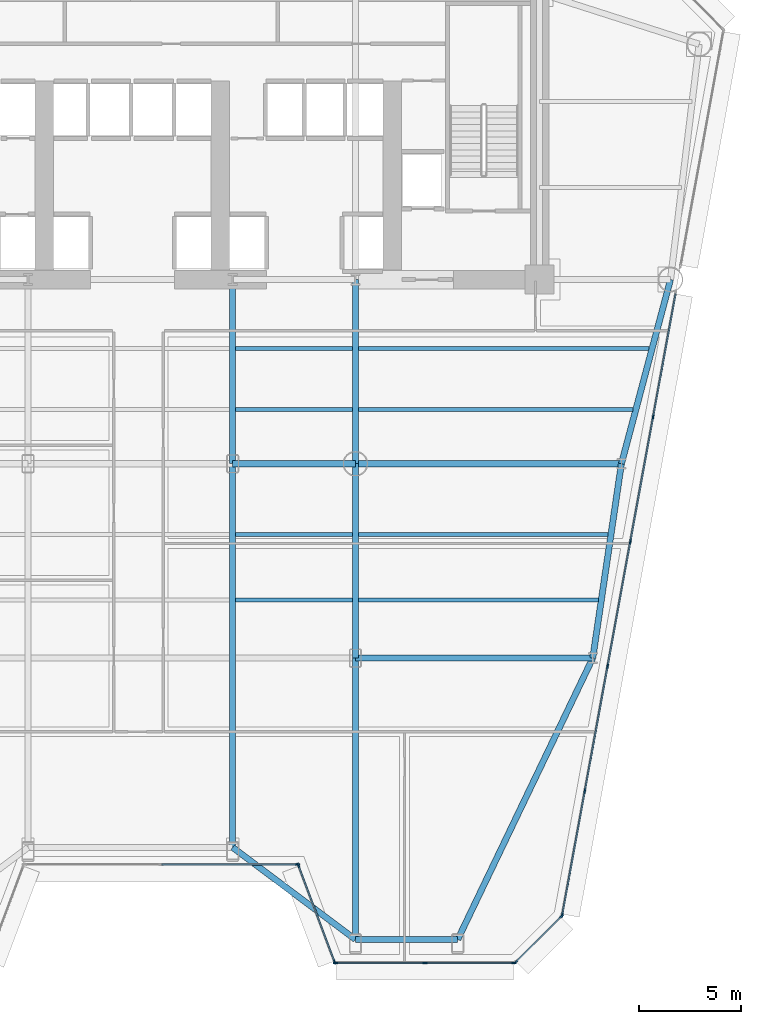
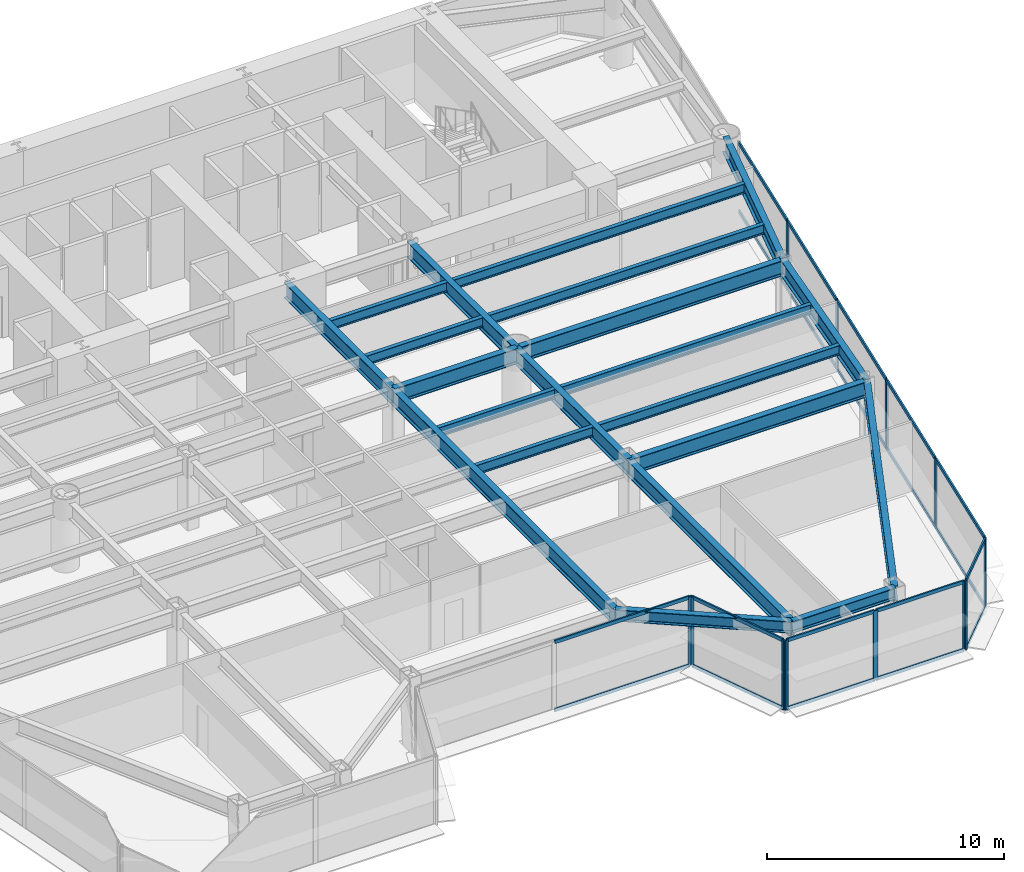
# One storey, part 4 of 14: 33 members, 21 beams, 5 elements without a shape of their own.
"""IFC4 building model written with IfcOpenShell, lengths in metres."""

from ifc_helpers import new_model, si_unit, direction, frame, origin, origin_2d, place, context, subcontext, project, spatial, rectangle, i_section, extrude, source, transform, mapped, material, layer, layer_set, material_profile, profile_set, type_object, element, aggregate, save


model = new_model("IFC4")

# Units and contexts
model_context = context("Model", 3, precision=1e-05, world=origin(), true_north=direction((0.0, 1.0)))
body_context = subcontext(model_context, "Body", "Model", "MODEL_VIEW")
ifc_project = project(units=[si_unit("LENGTHUNIT", "METRE"), si_unit("AREAUNIT", "SQUARE_METRE"), si_unit("VOLUMEUNIT", "CUBIC_METRE"), si_unit("PLANEANGLEUNIT", "RADIAN"), si_unit("MASSUNIT", "GRAM", prefix="KILO")], contexts=[model_context])

# Site, building, storey
site_placement = place(None, origin())
site = spatial("IfcSite", under=ifc_project, at=site_placement, CompositionType="ELEMENT")
building_placement = place(site_placement, origin())
building = spatial("IfcBuilding", under=site, at=building_placement, Name="Vaeldorn Concourse Tower", CompositionType="ELEMENT")
storey_placement = place(building_placement, frame((0.0, 0.0, 68.199951171875)))
storey = spatial("IfcBuildingStorey", under=building, at=storey_placement, Name="L17", CompositionType="ELEMENT", Elevation=68.199951171875)

# Beams
ifc_material_1 = material(Name="Steel S355", Category="steel")
ifc_material_profile_1 = material_profile(ifc_material_1, i_section(OverallWidth=0.300048828125, OverallDepth=0.800048828125, WebThickness=0.017578125, FlangeThickness=0.032958984375, FilletRadius=0.030029296875, at=origin_2d()), Name="HEB 800")
ifc_profile_set_1 = profile_set([ifc_material_profile_1], Name="Steel S355")
beam_type_1 = type_object("IfcBeamType", Name="BM-PG-HEB800", PredefinedType="BEAM", material=ifc_profile_set_1)
shared_shape_1 = source(origin(), body_context, "Body", "SweptSolid", [
    extrude(i_section(OverallWidth=0.300048828125, OverallDepth=0.800048828125, WebThickness=0.017578125, FlangeThickness=0.032958984375, FilletRadius=0.030029296875, at=origin_2d()), origin(), (0.0, 0.0, 1.0), 6.0),
])
beam_1_placement = place(storey_placement, frame((39.0, 27.5, 3.179931640625), z_axis=(1.0, 0.0, 0.0), x_axis=(0.0, 1.0, 0.0)))
element("IfcBeam", 1, at=beam_1_placement, inside=storey, type_object=beam_type_1, Name="Beam BM-L17-C-TW3-C-TW4", PredefinedType="BEAM", context=body_context, shape_type="MappedRepresentation", body=[
    mapped(shared_shape_1, transform((0.0, 0.0, 0.0), scale=1.0)),
])
shared_shape_2 = source(origin(), body_context, "Body", "SweptSolid", [
    extrude(i_section(OverallWidth=0.300048828125, OverallDepth=0.800048828125, WebThickness=0.017578125, FlangeThickness=0.032958984375, FilletRadius=0.030029296875, at=origin_2d()), origin(), (0.0, 0.0, 1.0), 9.0),
])
for number, where, z_axis, x_axis, name in (
    (2, (39.0, 27.5, 3.179931640625), (0.0, 1.0, 0.0), (-1.0, 0.0, 0.0), "Beam BM-L17-C-TW3-C-FC4"),
    (3, (45.0, 27.5, 3.179931640625), (0.0, 1.0, 0.0), (-1.0, 0.0, 0.0), "Beam BM-L17-C-TW4-C-FC5"),
):
    element("IfcBeam", number, at=place(storey_placement, frame(where, z_axis=z_axis, x_axis=x_axis)), inside=storey, type_object=beam_type_1, Name=name, PredefinedType="BEAM", context=body_context, shape_type="MappedRepresentation", body=[
        mapped(shared_shape_2, transform((0.0, 0.0, 0.0), scale=1.0)),
    ])
shared_shape_3 = source(origin(), body_context, "Body", "SweptSolid", [
    extrude(i_section(OverallWidth=0.300048828125, OverallDepth=0.800048828125, WebThickness=0.017578125, FlangeThickness=0.032958984375, FilletRadius=0.030029296875, at=origin_2d()), origin(), (0.0, 0.0, 1.0), 9.314453125),
])
beam_2_placement = place(storey_placement, frame((60.39990234375, 36.5, 3.179931640625), z_axis=(-0.257652862255, -0.966237549763, 0.0), x_axis=(0.966237549763, -0.257652862255, 0.0)))
element("IfcBeam", 4, at=beam_2_placement, inside=storey, type_object=beam_type_1, Name="Beam BM-L17-C-NE2-C-FLE1", PredefinedType="BEAM", context=body_context, shape_type="MappedRepresentation", body=[
    mapped(shared_shape_3, transform((0.0, 0.0, 0.0), scale=1.0)),
])
shared_shape_4 = source(origin(), body_context, "Body", "SweptSolid", [
    extrude(i_section(OverallWidth=0.300048828125, OverallDepth=0.800048828125, WebThickness=0.017578125, FlangeThickness=0.032958984375, FilletRadius=0.030029296875, at=origin_2d()), origin(), (0.0, 0.0, 1.0), 13.0),
])
beam_3_placement = place(storey_placement, frame((45.0, 27.5, 3.179931640625), z_axis=(1.0, 0.0, 0.0), x_axis=(0.0, 1.0, 0.0)))
element("IfcBeam", 5, at=beam_3_placement, inside=storey, type_object=beam_type_1, Name="Beam BM-L17-C-TW4-C-FLE1", PredefinedType="BEAM", context=body_context, shape_type="MappedRepresentation", body=[
    mapped(shared_shape_4, transform((0.0, 0.0, 0.0), scale=1.0)),
])
ifc_material_profile_2 = material_profile(ifc_material_1, i_section(OverallWidth=0.300048828125, OverallDepth=0.60009765625, WebThickness=0.015380859375, FlangeThickness=0.030029296875, FilletRadius=0.027099609375, at=origin_2d()), Name="HEB 600")
ifc_profile_set_2 = profile_set([ifc_material_profile_2], Name="Steel S355")
beam_type_2 = type_object("IfcBeamType", Name="BM-SP-HEB600", PredefinedType="SPANDREL", material=ifc_profile_set_2)
shared_shape_5 = source(origin(), body_context, "Body", "SweptSolid", [
    extrude(i_section(OverallWidth=0.300048828125, OverallDepth=0.60009765625, WebThickness=0.015380859375, FlangeThickness=0.030029296875, FilletRadius=0.027099609375, at=origin_2d()), origin(), (0.0, 0.0, 1.0), 5.0),
])
beam_4_placement = place(storey_placement, frame((45.0, 4.2470703125, 3.280029296875), z_axis=(1.0, 0.0, 0.0), x_axis=(0.0, 1.0, 0.0)))
element("IfcBeam", 6, at=beam_4_placement, inside=storey, type_object=beam_type_2, Name="Beam BM-L17-C-SF5-C-SF6", PredefinedType="SPANDREL", context=body_context, shape_type="MappedRepresentation", body=[
    mapped(shared_shape_5, transform((0.0, 0.0, 0.0), scale=1.0)),
])
shared_shape_6 = source(origin(), body_context, "Body", "SweptSolid", [
    extrude(i_section(OverallWidth=0.300048828125, OverallDepth=0.60009765625, WebThickness=0.015380859375, FlangeThickness=0.030029296875, FilletRadius=0.027099609375, at=origin_2d()), origin(), (0.0, 0.0, 1.0), 7.5),
])
beam_5_placement = place(storey_placement, frame((39.0, 8.7470703125, 3.280029296875), z_axis=(0.8, -0.6, 0.0), x_axis=(0.6, 0.8, 0.0)))
element("IfcBeam", 7, at=beam_5_placement, inside=storey, type_object=beam_type_2, Name="Beam BM-L17-C-SF4-C-SF5", PredefinedType="SPANDREL", context=body_context, shape_type="MappedRepresentation", body=[
    mapped(shared_shape_6, transform((0.0, 0.0, 0.0), scale=1.0)),
])
shared_shape_7 = source(origin(), body_context, "Body", "SweptSolid", [
    extrude(i_section(OverallWidth=0.300048828125, OverallDepth=0.800048828125, WebThickness=0.017578125, FlangeThickness=0.032958984375, FilletRadius=0.030029296875, at=origin_2d()), origin(), (0.0, 0.0, 1.0), 9.6025390625),
])
beam_6_placement = place(storey_placement, frame((58.0, 27.5, 3.179931640625), z_axis=(-0.145783835977, -0.989316467652, 0.0), x_axis=(0.989316467652, -0.145783835977, 0.0)))
element("IfcBeam", 8, at=beam_6_placement, inside=storey, type_object=beam_type_1, Name="Beam BM-L17-C-FLE1-C-FLE2", PredefinedType="BEAM", context=body_context, shape_type="MappedRepresentation", body=[
    mapped(shared_shape_7, transform((0.0, 0.0, 0.0), scale=1.0)),
])
shared_shape_8 = source(origin(), body_context, "Body", "SweptSolid", [
    extrude(i_section(OverallWidth=0.300048828125, OverallDepth=0.800048828125, WebThickness=0.017578125, FlangeThickness=0.032958984375, FilletRadius=0.030029296875, at=origin_2d()), origin(), (0.0, 0.0, 1.0), 11.60009765625),
])
beam_7_placement = place(storey_placement, frame((45.0, 18.0, 3.179931640625), z_axis=(1.0, 0.0, 0.0), x_axis=(0.0, 1.0, 0.0)))
element("IfcBeam", 9, at=beam_7_placement, inside=storey, type_object=beam_type_1, Name="Beam BM-L17-C-TW6-C-FLE2", PredefinedType="BEAM", context=body_context, shape_type="MappedRepresentation", body=[
    mapped(shared_shape_8, transform((0.0, 0.0, 0.0), scale=1.0)),
])
shared_shape_9 = source(origin(), body_context, "Body", "SweptSolid", [
    extrude(i_section(OverallWidth=0.300048828125, OverallDepth=0.800048828125, WebThickness=0.017578125, FlangeThickness=0.032958984375, FilletRadius=0.030029296875, at=origin_2d()), origin(), (0.0, 0.0, 1.0), 9.5),
])
beam_8_placement = place(storey_placement, frame((45.0, 18.0, 3.179931640625), z_axis=(0.0, 1.0, 0.0), x_axis=(-1.0, 0.0, 0.0)))
element("IfcBeam", 10, at=beam_8_placement, inside=storey, type_object=beam_type_1, Name="Beam BM-L17-C-TW6-C-TW4", PredefinedType="BEAM", context=body_context, shape_type="MappedRepresentation", body=[
    mapped(shared_shape_9, transform((0.0, 0.0, 0.0), scale=1.0)),
])
ifc_material_profile_3 = material_profile(ifc_material_1, i_section(OverallWidth=0.199951171875, OverallDepth=0.5, WebThickness=0.01025390625, FlangeThickness=0.01611328125, FilletRadius=0.02099609375, at=origin_2d()), Name="IPE 500")
ifc_profile_set_3 = profile_set([ifc_material_profile_3], Name="Steel S355")
beam_type_3 = type_object("IfcBeamType", Name="BM-JS-IPE500", PredefinedType="JOIST", material=ifc_profile_set_3)
shared_shape_10 = source(origin(), body_context, "Body", "SweptSolid", [
    extrude(i_section(OverallWidth=0.199951171875, OverallDepth=0.5, WebThickness=0.01025390625, FlangeThickness=0.01611328125, FilletRadius=0.02099609375, at=origin_2d()), origin(), (0.0, 0.0, 1.0), 5.7001953125),
])
for number, where, z_axis, x_axis, name in (
    (11, (39.14990234375, 20.840087890625, 3.330078125), (1.0, 0.0, 0.0), (0.0, 1.0, 0.0), "Beam JS-L17-E2-208"),
    (12, (39.14990234375, 24.0400390625, 3.330078125), (1.0, 0.0, 0.0), (0.0, 1.0, 0.0), "Beam JS-L17-E2-240"),
    (13, (39.14990234375, 30.139892578125, 3.330078125), (1.0, 0.0, 0.0), (0.0, 1.0, 0.0), "Beam JS-L17-E2-301"),
    (14, (39.14990234375, 33.139892578125, 3.330078125), (1.0, 0.0, 0.0), (0.0, 1.0, 0.0), "Beam JS-L17-E2-331"),
):
    element("IfcBeam", number, at=place(storey_placement, frame(where, z_axis=z_axis, x_axis=x_axis)), inside=storey, type_object=beam_type_3, Name=name, PredefinedType="JOIST", context=body_context, shape_type="MappedRepresentation", body=[
        mapped(shared_shape_10, transform((0.0, 0.0, 0.0), scale=1.0)),
    ])
shared_shape_11 = source(origin(), body_context, "Body", "SweptSolid", [
    extrude(i_section(OverallWidth=0.300048828125, OverallDepth=0.800048828125, WebThickness=0.017578125, FlangeThickness=0.032958984375, FilletRadius=0.030029296875, at=origin_2d()), origin(), (0.0, 0.0, 1.0), 15.254638671875),
])
beam_9_placement = place(storey_placement, frame((50.0, 4.2470703125, 3.179931640625), z_axis=(0.432661346471, 0.901556520286, 0.0), x_axis=(-0.901556520286, 0.432661346471, 0.0)))
element("IfcBeam", 15, at=beam_9_placement, inside=storey, type_object=beam_type_1, Name="Beam BM-L17-C-SF6-C-FLE2", PredefinedType="BEAM", context=body_context, shape_type="MappedRepresentation", body=[
    mapped(shared_shape_11, transform((0.0, 0.0, 0.0), scale=1.0)),
])
shared_shape_12 = source(origin(), body_context, "Body", "SweptSolid", [
    extrude(i_section(OverallWidth=0.300048828125, OverallDepth=0.800048828125, WebThickness=0.017578125, FlangeThickness=0.032958984375, FilletRadius=0.030029296875, at=origin_2d()), origin(), (0.0, 0.0, 1.0), 13.7529296875),
])
beam_10_placement = place(storey_placement, frame((45.0, 4.2470703125, 3.179931640625), z_axis=(0.0, 1.0, 0.0), x_axis=(-1.0, 0.0, 0.0)))
element("IfcBeam", 16, at=beam_10_placement, inside=storey, type_object=beam_type_1, Name="Beam BM-L17-C-SF5-C-TW6", PredefinedType="BEAM", context=body_context, shape_type="MappedRepresentation", body=[
    mapped(shared_shape_12, transform((0.0, 0.0, 0.0), scale=1.0)),
])
shared_shape_13 = source(origin(), body_context, "Body", "SweptSolid", [
    extrude(i_section(OverallWidth=0.300048828125, OverallDepth=0.800048828125, WebThickness=0.017578125, FlangeThickness=0.032958984375, FilletRadius=0.030029296875, at=origin_2d()), origin(), (0.0, 0.0, 1.0), 18.7529296875),
])
beam_11_placement = place(storey_placement, frame((39.0, 8.7470703125, 3.179931640625), z_axis=(0.0, 1.0, 0.0), x_axis=(-1.0, 0.0, 0.0)))
element("IfcBeam", 17, at=beam_11_placement, inside=storey, type_object=beam_type_1, Name="Beam BM-L17-C-SF4-C-TW3", PredefinedType="BEAM", context=body_context, shape_type="MappedRepresentation", body=[
    mapped(shared_shape_13, transform((0.0, 0.0, 0.0), scale=1.0)),
])
shared_shape_14 = source(origin(), body_context, "Body", "SweptSolid", [
    extrude(i_section(OverallWidth=0.199951171875, OverallDepth=0.5, WebThickness=0.01025390625, FlangeThickness=0.01611328125, FilletRadius=0.02099609375, at=origin_2d()), origin(), (0.0, 0.0, 1.0), 11.718505859375),
])
beam_12_placement = place(storey_placement, frame((45.14990234375, 20.840087890625, 3.330078125), z_axis=(1.0, 0.0, 0.0), x_axis=(0.0, 1.0, 0.0)))
element("IfcBeam", 18, at=beam_12_placement, inside=storey, type_object=beam_type_3, Name="Beam JS-L17-E1-208", PredefinedType="JOIST", context=body_context, shape_type="MappedRepresentation", body=[
    mapped(shared_shape_14, transform((0.0, 0.0, 0.0), scale=1.0)),
])
shared_shape_15 = source(origin(), body_context, "Body", "SweptSolid", [
    extrude(i_section(OverallWidth=0.199951171875, OverallDepth=0.5, WebThickness=0.01025390625, FlangeThickness=0.01611328125, FilletRadius=0.02099609375, at=origin_2d()), origin(), (0.0, 0.0, 1.0), 12.190185546875),
])
beam_13_placement = place(storey_placement, frame((45.14990234375, 24.0400390625, 3.330078125), z_axis=(1.0, 0.0, 0.0), x_axis=(0.0, 1.0, 0.0)))
element("IfcBeam", 19, at=beam_13_placement, inside=storey, type_object=beam_type_3, Name="Beam JS-L17-E1-240", PredefinedType="JOIST", context=body_context, shape_type="MappedRepresentation", body=[
    mapped(shared_shape_15, transform((0.0, 0.0, 0.0), scale=1.0)),
])
shared_shape_16 = source(origin(), body_context, "Body", "SweptSolid", [
    extrude(i_section(OverallWidth=0.199951171875, OverallDepth=0.5, WebThickness=0.01025390625, FlangeThickness=0.01611328125, FilletRadius=0.02099609375, at=origin_2d()), origin(), (0.0, 0.0, 1.0), 13.404052734375),
])
beam_14_placement = place(storey_placement, frame((45.14990234375, 30.139892578125, 3.330078125), z_axis=(1.0, 0.0, 0.0), x_axis=(0.0, 1.0, 0.0)))
element("IfcBeam", 20, at=beam_14_placement, inside=storey, type_object=beam_type_3, Name="Beam JS-L17-E1-301", PredefinedType="JOIST", context=body_context, shape_type="MappedRepresentation", body=[
    mapped(shared_shape_16, transform((0.0, 0.0, 0.0), scale=1.0)),
])
shared_shape_17 = source(origin(), body_context, "Body", "SweptSolid", [
    extrude(i_section(OverallWidth=0.199951171875, OverallDepth=0.5, WebThickness=0.01025390625, FlangeThickness=0.01611328125, FilletRadius=0.02099609375, at=origin_2d()), origin(), (0.0, 0.0, 1.0), 14.2041015625),
])
beam_15_placement = place(storey_placement, frame((45.14990234375, 33.139892578125, 3.330078125), z_axis=(1.0, 0.0, 0.0), x_axis=(0.0, 1.0, 0.0)))
element("IfcBeam", 21, at=beam_15_placement, inside=storey, type_object=beam_type_3, Name="Beam JS-L17-E1-331", PredefinedType="JOIST", context=body_context, shape_type="MappedRepresentation", body=[
    mapped(shared_shape_17, transform((0.0, 0.0, 0.0), scale=1.0)),
])

# Curtain wall, members
ifc_material_2 = material(Name="Anodised Bronze Aluminium", Category="aluminium")
ifc_layer = layer(ifc_material_2, 0.219970703125)
ifc_layer_set = layer_set([ifc_layer], Name="Anodised Bronze Aluminium")
curtain_wall_type = type_object("IfcCurtainWallType", Name="CW-SYS-01", PredefinedType="NOTDEFINED", material=ifc_layer_set)
curtain_wall_1_placement = place(storey_placement, origin())
curtain_wall_1 = element("IfcCurtainWall", 22, at=curtain_wall_1_placement, inside=storey, type_object=curtain_wall_type, Name="Unitised Curtain Wall CW-L17-E03-1", PredefinedType="NOTDEFINED")
ifc_material_profile_4 = material_profile(ifc_material_2, rectangle(XDim=0.074951171875, YDim=0.179931640625, at=origin_2d()), Name="CWT 75x180")
ifc_profile_set_4 = profile_set([ifc_material_profile_4], Name="Anodised Bronze Aluminium")
member_type_1 = type_object("IfcMemberType", Name="CWT-BRONZE-180", PredefinedType="USERDEFINED", material=ifc_profile_set_4)
shared_shape_18 = source(origin(), body_context, "Body", "SweptSolid", [
    extrude(rectangle(XDim=0.074951171875, YDim=0.179931640625, at=origin_2d()), origin(), (0.0, 0.0, 1.0), 6.58740234375),
])
member_1_placement = place(storey_placement, frame((35.53759765625, 7.907958984375, 0.03759765625), z_axis=(1.0, 0.0, 0.0), x_axis=(0.0, 1.0, 0.0)))
member_1 = element("IfcMember", 23, at=member_1_placement, type_object=member_type_1, Name="CW-01 transom 2.1", ObjectType="TRANSOM", PredefinedType="USERDEFINED", context=body_context, shape_type="MappedRepresentation", body=[
    mapped(shared_shape_18, transform((0.0, 0.0, 0.0), scale=1.0)),
])
member_2_placement = place(storey_placement, frame((35.53759765625, 7.907958984375, 3.54248046875), z_axis=(1.0, 0.0, 0.0), x_axis=(0.0, 1.0, 0.0)))
member_2 = element("IfcMember", 24, at=member_2_placement, type_object=member_type_1, Name="CW-01 transom 2.2", ObjectType="TRANSOM", PredefinedType="USERDEFINED", context=body_context, shape_type="MappedRepresentation", body=[
    mapped(shared_shape_18, transform((0.0, 0.0, 0.0), scale=1.0)),
])

curtain_wall_2_placement = place(storey_placement, origin())
curtain_wall_2 = element("IfcCurtainWall", 25, at=curtain_wall_2_placement, inside=storey, type_object=curtain_wall_type, Name="Unitised Curtain Wall CW-L17-E04-1", PredefinedType="NOTDEFINED")
shared_shape_19 = source(origin(), body_context, "Body", "SweptSolid", [
    extrude(rectangle(XDim=0.074951171875, YDim=0.179931640625, at=origin_2d()), origin(), (0.0, 0.0, 1.0), 4.9765625),
])
member_3_placement = place(storey_placement, frame((42.226318359375, 7.837890625, 0.03759765625), z_axis=(0.351112688987, -0.936333209724, 0.0), x_axis=(0.936333209724, 0.351112688987, 0.0)))
member_3 = element("IfcMember", 26, at=member_3_placement, type_object=member_type_1, Name="CW-01 transom 1.1", ObjectType="TRANSOM", PredefinedType="USERDEFINED", context=body_context, shape_type="MappedRepresentation", body=[
    mapped(shared_shape_19, transform((0.0, 0.0, 0.0), scale=1.0)),
])
member_4_placement = place(storey_placement, frame((42.226318359375, 7.837890625, 3.54248046875), z_axis=(0.351112688987, -0.936333209724, 0.0), x_axis=(0.936333209724, 0.351112688987, 0.0)))
member_4 = element("IfcMember", 27, at=member_4_placement, type_object=member_type_1, Name="CW-01 transom 1.2", ObjectType="TRANSOM", PredefinedType="USERDEFINED", context=body_context, shape_type="MappedRepresentation", body=[
    mapped(shared_shape_19, transform((0.0, 0.0, 0.0), scale=1.0)),
])

# Member
ifc_material_profile_5 = material_profile(ifc_material_2, rectangle(XDim=0.074951171875, YDim=0.219970703125, at=origin_2d()), Name="CWM 75x220")
ifc_profile_set_5 = profile_set([ifc_material_profile_5], Name="Anodised Bronze Aluminium")
member_type_2 = type_object("IfcMemberType", Name="CWM-BRONZE-220", PredefinedType="MULLION", material=ifc_profile_set_5)
shared_shape_20 = source(origin(), body_context, "Body", "SweptSolid", [
    extrude(rectangle(XDim=0.074951171875, YDim=0.219970703125, at=origin_2d()), origin(), (0.0, 0.0, 1.0), 3.580078125),
])
member_5_placement = place(storey_placement, frame((42.16259765625, 7.907958984375, 0.0), z_axis=(0.0, 0.0, 1.0), x_axis=(0.0, 1.0, 0.0)))
member_5 = element("IfcMember", 28, at=member_5_placement, type_object=member_type_2, Name="CW-01 mullion 3", PredefinedType="MULLION", context=body_context, shape_type="MappedRepresentation", body=[
    mapped(shared_shape_20, transform((0.0, 0.0, 0.0), scale=1.0)),
])

aggregate(curtain_wall_1, [member_5, member_1, member_2])

member_6_placement = place(storey_placement, frame((42.213134765625, 7.872802734375, 0.0), z_axis=(0.0, 0.0, 1.0), x_axis=(0.936329177566, 0.351123441595, 0.0)))
member_6 = element("IfcMember", 29, at=member_6_placement, type_object=member_type_2, Name="CW-01 mullion 1", PredefinedType="MULLION", context=body_context, shape_type="MappedRepresentation", body=[
    mapped(shared_shape_20, transform((0.0, 0.0, 0.0), scale=1.0)),
])

member_7_placement = place(storey_placement, frame((43.98681640625, 3.14306640625, 0.0), z_axis=(0.0, 0.0, 1.0), x_axis=(0.936329177566, 0.351123441595, 0.0)))
member_7 = element("IfcMember", 30, at=member_7_placement, type_object=member_type_2, Name="CW-01 mullion 2", PredefinedType="MULLION", context=body_context, shape_type="MappedRepresentation", body=[
    mapped(shared_shape_20, transform((0.0, 0.0, 0.0), scale=1.0)),
])

aggregate(curtain_wall_2, [member_6, member_7, member_3, member_4])

# Curtain wall, members
curtain_wall_3_placement = place(storey_placement, origin())
curtain_wall_3 = element("IfcCurtainWall", 31, at=curtain_wall_3_placement, inside=storey, type_object=curtain_wall_type, Name="Unitised Curtain Wall CW-L17-E05-1", PredefinedType="NOTDEFINED")
member_8_placement = place(storey_placement, frame((44.03759765625, 3.10791015625, 0.0), z_axis=(0.0, 0.0, 1.0), x_axis=(0.0, 1.0, 0.0)))
member_8 = element("IfcMember", 32, at=member_8_placement, type_object=member_type_2, Name="CW-01 mullion 1", PredefinedType="MULLION", context=body_context, shape_type="MappedRepresentation", body=[
    mapped(shared_shape_20, transform((0.0, 0.0, 0.0), scale=1.0)),
])
member_9_placement = place(storey_placement, frame((48.39892578125, 3.10791015625, 0.0), z_axis=(0.0, 0.0, 1.0), x_axis=(0.0, 1.0, 0.0)))
member_9 = element("IfcMember", 33, at=member_9_placement, type_object=member_type_2, Name="CW-01 mullion 2", PredefinedType="MULLION", context=body_context, shape_type="MappedRepresentation", body=[
    mapped(shared_shape_20, transform((0.0, 0.0, 0.0), scale=1.0)),
])
member_10_placement = place(storey_placement, frame((52.76025390625, 3.10791015625, 0.0), z_axis=(0.0, 0.0, 1.0), x_axis=(0.0, 1.0, 0.0)))
member_10 = element("IfcMember", 34, at=member_10_placement, type_object=member_type_2, Name="CW-01 mullion 3", PredefinedType="MULLION", context=body_context, shape_type="MappedRepresentation", body=[
    mapped(shared_shape_20, transform((0.0, 0.0, 0.0), scale=1.0)),
])

curtain_wall_4_placement = place(storey_placement, origin())
curtain_wall_4 = element("IfcCurtainWall", 35, at=curtain_wall_4_placement, inside=storey, type_object=curtain_wall_type, Name="Unitised Curtain Wall CW-L17-E06-1", PredefinedType="NOTDEFINED")
member_11_placement = place(storey_placement, frame((52.82421875, 3.134521484375, 0.0), z_axis=(0.0, 0.0, 1.0), x_axis=(-0.707106781187, 0.707106781187, 0.0)))
member_11 = element("IfcMember", 36, at=member_11_placement, type_object=member_type_2, Name="CW-01 mullion 1", PredefinedType="MULLION", context=body_context, shape_type="MappedRepresentation", body=[
    mapped(shared_shape_20, transform((0.0, 0.0, 0.0), scale=1.0)),
])
member_12_placement = place(storey_placement, frame((55.0712890625, 5.381591796875, 0.0), z_axis=(0.0, 0.0, 1.0), x_axis=(-0.707106781187, 0.707106781187, 0.0)))
member_12 = element("IfcMember", 37, at=member_12_placement, type_object=member_type_2, Name="CW-01 mullion 2", PredefinedType="MULLION", context=body_context, shape_type="MappedRepresentation", body=[
    mapped(shared_shape_20, transform((0.0, 0.0, 0.0), scale=1.0)),
])

curtain_wall_5_placement = place(storey_placement, origin())
curtain_wall_5 = element("IfcCurtainWall", 38, at=curtain_wall_5_placement, inside=storey, type_object=curtain_wall_type, Name="Unitised Curtain Wall CW-L17-E07-1", PredefinedType="NOTDEFINED")
member_13_placement = place(storey_placement, frame((55.1044921875, 5.44482421875, 0.0), z_axis=(0.0, 0.0, 1.0), x_axis=(-0.983746121623, 0.179564941431, 0.0)))
member_13 = element("IfcMember", 39, at=member_13_placement, type_object=member_type_2, Name="CW-01 mullion 1", PredefinedType="MULLION", context=body_context, shape_type="MappedRepresentation", body=[
    mapped(shared_shape_20, transform((0.0, 0.0, 0.0), scale=1.0)),
])
member_14_placement = place(storey_placement, frame((56.210205078125, 11.50244140625, 0.0), z_axis=(0.0, 0.0, 1.0), x_axis=(-0.983746121623, 0.179564941431, 0.0)))
member_14 = element("IfcMember", 40, at=member_14_placement, type_object=member_type_2, Name="CW-01 mullion 2", PredefinedType="MULLION", context=body_context, shape_type="MappedRepresentation", body=[
    mapped(shared_shape_20, transform((0.0, 0.0, 0.0), scale=1.0)),
])
member_15_placement = place(storey_placement, frame((57.32275390625, 17.596923828125, 0.0), z_axis=(0.0, 0.0, 1.0), x_axis=(-0.983746121623, 0.179564941431, 0.0)))
member_15 = element("IfcMember", 41, at=member_15_placement, type_object=member_type_2, Name="CW-01 mullion 3", PredefinedType="MULLION", context=body_context, shape_type="MappedRepresentation", body=[
    mapped(shared_shape_20, transform((0.0, 0.0, 0.0), scale=1.0)),
])
member_16_placement = place(storey_placement, frame((58.43505859375, 23.69140625, 0.0), z_axis=(0.0, 0.0, 1.0), x_axis=(-0.983746121623, 0.179564941431, 0.0)))
member_16 = element("IfcMember", 42, at=member_16_placement, type_object=member_type_2, Name="CW-01 mullion 4", PredefinedType="MULLION", context=body_context, shape_type="MappedRepresentation", body=[
    mapped(shared_shape_20, transform((0.0, 0.0, 0.0), scale=1.0)),
])
member_17_placement = place(storey_placement, frame((59.547607421875, 29.785888671875, 0.0), z_axis=(0.0, 0.0, 1.0), x_axis=(-0.983746121623, 0.179564941431, 0.0)))
member_17 = element("IfcMember", 43, at=member_17_placement, type_object=member_type_2, Name="CW-01 mullion 5", PredefinedType="MULLION", context=body_context, shape_type="MappedRepresentation", body=[
    mapped(shared_shape_20, transform((0.0, 0.0, 0.0), scale=1.0)),
])

# Member
shared_shape_21 = source(origin(), body_context, "Body", "SweptSolid", [
    extrude(rectangle(XDim=0.074951171875, YDim=0.179931640625, at=origin_2d()), origin(), (0.0, 0.0, 1.0), 3.1025390625),
])
member_18_placement = place(storey_placement, frame((52.850830078125, 3.1611328125, 0.03759765625), z_axis=(0.707106781187, 0.707106781187, 0.0), x_axis=(-0.707106781187, 0.707106781187, 0.0)))
member_18 = element("IfcMember", 44, at=member_18_placement, type_object=member_type_1, Name="CW-01 transom 1.1", ObjectType="TRANSOM", PredefinedType="USERDEFINED", context=body_context, shape_type="MappedRepresentation", body=[
    mapped(shared_shape_21, transform((0.0, 0.0, 0.0), scale=1.0)),
])

member_19_placement = place(storey_placement, frame((52.850830078125, 3.1611328125, 3.54248046875), z_axis=(0.707106781187, 0.707106781187, 0.0), x_axis=(-0.707106781187, 0.707106781187, 0.0)))
member_19 = element("IfcMember", 45, at=member_19_placement, type_object=member_type_1, Name="CW-01 transom 1.2", ObjectType="TRANSOM", PredefinedType="USERDEFINED", context=body_context, shape_type="MappedRepresentation", body=[
    mapped(shared_shape_21, transform((0.0, 0.0, 0.0), scale=1.0)),
])

aggregate(curtain_wall_4, [member_11, member_12, member_18, member_19])

shared_shape_22 = source(origin(), body_context, "Body", "SweptSolid", [
    extrude(rectangle(XDim=0.074951171875, YDim=0.179931640625, at=origin_2d()), origin(), (0.0, 0.0, 1.0), 4.286376953125),
])
member_20_placement = place(storey_placement, frame((44.074951171875, 3.10791015625, 0.03759765625), z_axis=(1.0, 0.0, 0.0), x_axis=(0.0, 1.0, 0.0)))
member_20 = element("IfcMember", 46, at=member_20_placement, type_object=member_type_1, Name="CW-01 transom 1.1", ObjectType="TRANSOM", PredefinedType="USERDEFINED", context=body_context, shape_type="MappedRepresentation", body=[
    mapped(shared_shape_22, transform((0.0, 0.0, 0.0), scale=1.0)),
])

member_21_placement = place(storey_placement, frame((44.074951171875, 3.10791015625, 3.54248046875), z_axis=(1.0, 0.0, 0.0), x_axis=(0.0, 1.0, 0.0)))
member_21 = element("IfcMember", 47, at=member_21_placement, type_object=member_type_1, Name="CW-01 transom 1.2", ObjectType="TRANSOM", PredefinedType="USERDEFINED", context=body_context, shape_type="MappedRepresentation", body=[
    mapped(shared_shape_22, transform((0.0, 0.0, 0.0), scale=1.0)),
])

shared_shape_23 = source(origin(), body_context, "Body", "SweptSolid", [
    extrude(rectangle(XDim=0.074951171875, YDim=0.179931640625, at=origin_2d()), origin(), (0.0, 0.0, 1.0), 4.28662109375),
])
member_22_placement = place(storey_placement, frame((48.436279296875, 3.10791015625, 0.03759765625), z_axis=(1.0, 0.0, 0.0), x_axis=(0.0, 1.0, 0.0)))
member_22 = element("IfcMember", 48, at=member_22_placement, type_object=member_type_1, Name="CW-01 transom 2.1", ObjectType="TRANSOM", PredefinedType="USERDEFINED", context=body_context, shape_type="MappedRepresentation", body=[
    mapped(shared_shape_23, transform((0.0, 0.0, 0.0), scale=1.0)),
])

member_23_placement = place(storey_placement, frame((48.436279296875, 3.10791015625, 3.54248046875), z_axis=(1.0, 0.0, 0.0), x_axis=(0.0, 1.0, 0.0)))
member_23 = element("IfcMember", 49, at=member_23_placement, type_object=member_type_1, Name="CW-01 transom 2.2", ObjectType="TRANSOM", PredefinedType="USERDEFINED", context=body_context, shape_type="MappedRepresentation", body=[
    mapped(shared_shape_23, transform((0.0, 0.0, 0.0), scale=1.0)),
])

aggregate(curtain_wall_3, [member_8, member_9, member_10, member_20, member_21, member_22, member_23])

shared_shape_24 = source(origin(), body_context, "Body", "SweptSolid", [
    extrude(rectangle(XDim=0.074951171875, YDim=0.179931640625, at=origin_2d()), origin(), (0.0, 0.0, 1.0), 6.082763671875),
])
member_24_placement = place(storey_placement, frame((55.111328125, 5.481689453125, 0.03759765625), z_axis=(0.179570604778, 0.983745087866, 0.0), x_axis=(-0.983745087866, 0.179570604778, 0.0)))
member_24 = element("IfcMember", 50, at=member_24_placement, type_object=member_type_1, Name="CW-01 transom 1.1", ObjectType="TRANSOM", PredefinedType="USERDEFINED", context=body_context, shape_type="MappedRepresentation", body=[
    mapped(shared_shape_24, transform((0.0, 0.0, 0.0), scale=1.0)),
])

member_25_placement = place(storey_placement, frame((55.111328125, 5.481689453125, 3.54248046875), z_axis=(0.179570604778, 0.983745087866, 0.0), x_axis=(-0.983745087866, 0.179570604778, 0.0)))
member_25 = element("IfcMember", 51, at=member_25_placement, type_object=member_type_1, Name="CW-01 transom 1.2", ObjectType="TRANSOM", PredefinedType="USERDEFINED", context=body_context, shape_type="MappedRepresentation", body=[
    mapped(shared_shape_24, transform((0.0, 0.0, 0.0), scale=1.0)),
])

shared_shape_25 = source(origin(), body_context, "Body", "SweptSolid", [
    extrude(rectangle(XDim=0.074951171875, YDim=0.179931640625, at=origin_2d()), origin(), (0.0, 0.0, 1.0), 6.1201171875),
])
member_26_placement = place(storey_placement, frame((56.217041015625, 11.539306640625, 0.03759765625), z_axis=(0.179548862687, 0.983749056369, 0.0), x_axis=(-0.983749056369, 0.179548862687, 0.0)))
member_26 = element("IfcMember", 52, at=member_26_placement, type_object=member_type_1, Name="CW-01 transom 2.1", ObjectType="TRANSOM", PredefinedType="USERDEFINED", context=body_context, shape_type="MappedRepresentation", body=[
    mapped(shared_shape_25, transform((0.0, 0.0, 0.0), scale=1.0)),
])

member_27_placement = place(storey_placement, frame((56.217041015625, 11.539306640625, 3.54248046875), z_axis=(0.179548862687, 0.983749056369, 0.0), x_axis=(-0.983749056369, 0.179548862687, 0.0)))
member_27 = element("IfcMember", 53, at=member_27_placement, type_object=member_type_1, Name="CW-01 transom 2.2", ObjectType="TRANSOM", PredefinedType="USERDEFINED", context=body_context, shape_type="MappedRepresentation", body=[
    mapped(shared_shape_25, transform((0.0, 0.0, 0.0), scale=1.0)),
])

member_28_placement = place(storey_placement, frame((58.44189453125, 23.728271484375, 0.03759765625), z_axis=(0.179548862687, 0.983749056369, 0.0), x_axis=(-0.983749056369, 0.179548862687, 0.0)))
member_28 = element("IfcMember", 54, at=member_28_placement, type_object=member_type_1, Name="CW-01 transom 4.1", ObjectType="TRANSOM", PredefinedType="USERDEFINED", context=body_context, shape_type="MappedRepresentation", body=[
    mapped(shared_shape_25, transform((0.0, 0.0, 0.0), scale=1.0)),
])

member_29_placement = place(storey_placement, frame((58.44189453125, 23.728271484375, 3.54248046875), z_axis=(0.179548862687, 0.983749056369, 0.0), x_axis=(-0.983749056369, 0.179548862687, 0.0)))
member_29 = element("IfcMember", 55, at=member_29_placement, type_object=member_type_1, Name="CW-01 transom 4.2", ObjectType="TRANSOM", PredefinedType="USERDEFINED", context=body_context, shape_type="MappedRepresentation", body=[
    mapped(shared_shape_25, transform((0.0, 0.0, 0.0), scale=1.0)),
])

shared_shape_26 = source(origin(), body_context, "Body", "SweptSolid", [
    extrude(rectangle(XDim=0.074951171875, YDim=0.179931640625, at=origin_2d()), origin(), (0.0, 0.0, 1.0), 6.120361328125),
])
member_30_placement = place(storey_placement, frame((57.329345703125, 17.6337890625, 0.03759765625), z_axis=(0.179587467161, 0.983742009695, 0.0), x_axis=(-0.983742009695, 0.179587467161, 0.0)))
member_30 = element("IfcMember", 56, at=member_30_placement, type_object=member_type_1, Name="CW-01 transom 3.1", ObjectType="TRANSOM", PredefinedType="USERDEFINED", context=body_context, shape_type="MappedRepresentation", body=[
    mapped(shared_shape_26, transform((0.0, 0.0, 0.0), scale=1.0)),
])

member_31_placement = place(storey_placement, frame((57.329345703125, 17.6337890625, 3.54248046875), z_axis=(0.179587467161, 0.983742009695, 0.0), x_axis=(-0.983742009695, 0.179587467161, 0.0)))
member_31 = element("IfcMember", 57, at=member_31_placement, type_object=member_type_1, Name="CW-01 transom 3.2", ObjectType="TRANSOM", PredefinedType="USERDEFINED", context=body_context, shape_type="MappedRepresentation", body=[
    mapped(shared_shape_26, transform((0.0, 0.0, 0.0), scale=1.0)),
])

shared_shape_27 = source(origin(), body_context, "Body", "SweptSolid", [
    extrude(rectangle(XDim=0.074951171875, YDim=0.179931640625, at=origin_2d()), origin(), (0.0, 0.0, 1.0), 6.08251953125),
])
member_32_placement = place(storey_placement, frame((59.55419921875, 29.822998046875, 0.03759765625), z_axis=(0.179577695231, 0.983743793564, 0.0), x_axis=(-0.983743793564, 0.179577695231, 0.0)))
member_32 = element("IfcMember", 58, at=member_32_placement, type_object=member_type_1, Name="CW-01 transom 5.1", ObjectType="TRANSOM", PredefinedType="USERDEFINED", context=body_context, shape_type="MappedRepresentation", body=[
    mapped(shared_shape_27, transform((0.0, 0.0, 0.0), scale=1.0)),
])

member_33_placement = place(storey_placement, frame((59.55419921875, 29.822998046875, 3.54248046875), z_axis=(0.179577695231, 0.983743793564, 0.0), x_axis=(-0.983743793564, 0.179577695231, 0.0)))
member_33 = element("IfcMember", 59, at=member_33_placement, type_object=member_type_1, Name="CW-01 transom 5.2", ObjectType="TRANSOM", PredefinedType="USERDEFINED", context=body_context, shape_type="MappedRepresentation", body=[
    mapped(shared_shape_27, transform((0.0, 0.0, 0.0), scale=1.0)),
])

aggregate(curtain_wall_5, [member_13, member_14, member_15, member_16, member_17, member_24, member_25, member_26, member_27, member_30, member_31, member_28, member_29, member_32, member_33])

save(model, "model.ifc")
